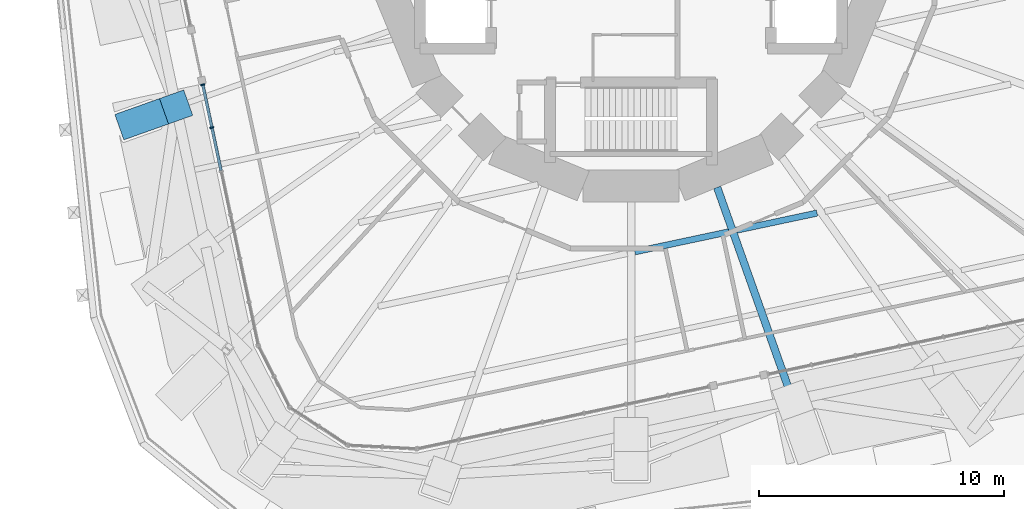
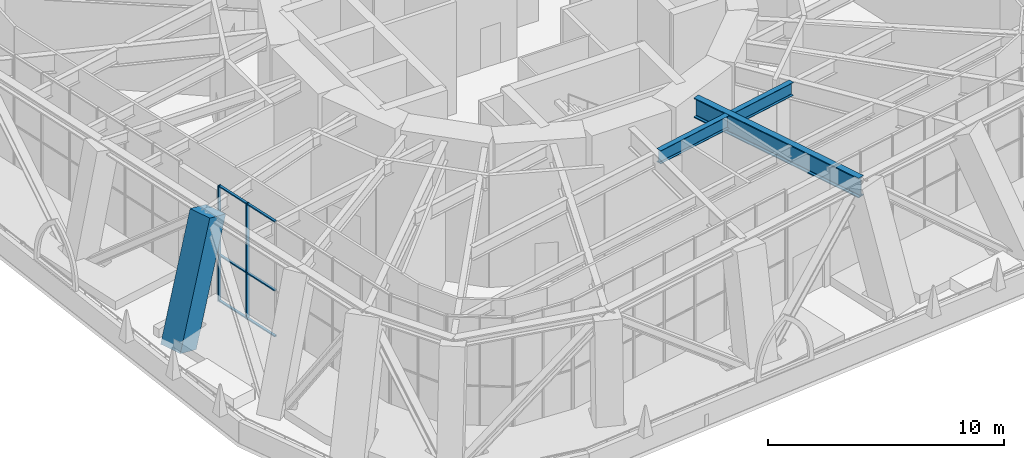
# One storey, part 3 of 23: 9 members, 3 beams, 1 element without a shape of its own.
"""IFC4 building model written with IfcOpenShell, lengths in metres."""

from ifc_helpers import new_model, si_unit, direction, frame, origin, origin_2d, place, context, subcontext, project, spatial, rectangle, i_section, extrude, material, material_profile, profile_set, type_object, element, aggregate, save


model = new_model("IFC4")

# Units and contexts
model_context = context("Model", 3, precision=1e-05, world=origin(), true_north=direction((0.0, 1.0)))
body_context = subcontext(model_context, "Body", "Model", "MODEL_VIEW")
ifc_project = project(units=[si_unit("LENGTHUNIT", "METRE"), si_unit("AREAUNIT", "SQUARE_METRE"), si_unit("VOLUMEUNIT", "CUBIC_METRE"), si_unit("PLANEANGLEUNIT", "RADIAN"), si_unit("MASSUNIT", "GRAM", prefix="KILO")], contexts=[model_context])

# Site, building, storey
site_placement = place(None, origin())
site = spatial("IfcSite", under=ifc_project, at=site_placement, CompositionType="ELEMENT")
building_placement = place(site_placement, origin())
building = spatial("IfcBuilding", under=site, at=building_placement, Name="Nakasero Lantern House", CompositionType="ELEMENT")
storey_placement = place(building_placement, frame((0.0, 0.0, 95.14990234375)))
storey = spatial("IfcBuildingStorey", under=building, at=storey_placement, Name="L23", CompositionType="ELEMENT", Elevation=95.14990234375)

# Beams
ifc_material_1 = material(Name="Steel S355", Category="steel")
ifc_material_profile_1 = material_profile(ifc_material_1, i_section(OverallWidth=0.253662109375, OverallDepth=0.68359375, WebThickness=0.012451171875, FlangeThickness=0.01904296875, FilletRadius=0.01513671875, at=origin_2d()), Name="UB 686x254x140")
ifc_profile_set_1 = profile_set([ifc_material_profile_1], Name="Steel S355")
beam_type_1 = type_object("IfcBeamType", Name="Infill beam UB 686x254x140", PredefinedType="JOIST", material=ifc_profile_set_1)
beam_1_placement = place(storey_placement, frame((0.154296875, -12.490966796875, 5.458251953125), z_axis=(0.978145555103, 0.207921314521, 0.0), x_axis=(-0.207921314521, 0.978145555103, 0.0)))
element("IfcBeam", 1, at=beam_1_placement, inside=storey, type_object=beam_type_1, Name="Infill beam L24 04.3", PredefinedType="JOIST", context=body_context, shape_type="SweptSolid", body=[
    extrude(i_section(OverallWidth=0.253662109375, OverallDepth=0.68359375, WebThickness=0.012451171875, FlangeThickness=0.01904296875, FilletRadius=0.01513671875, at=origin_2d()), origin(), (0.0, 0.0, 1.0), 3.920654296875),
])
beam_2_placement = place(storey_placement, frame((4.290771484375, -11.611572265625, 5.458251953125), z_axis=(0.978156264753, 0.207870925635, 0.0), x_axis=(-0.207870925635, 0.978156264753, 0.0)))
element("IfcBeam", 2, at=beam_2_placement, inside=storey, type_object=beam_type_1, Name="Infill beam L24 04.4", PredefinedType="JOIST", context=body_context, shape_type="SweptSolid", body=[
    extrude(i_section(OverallWidth=0.253662109375, OverallDepth=0.68359375, WebThickness=0.012451171875, FlangeThickness=0.01904296875, FilletRadius=0.01513671875, at=origin_2d()), origin(), (0.0, 0.0, 1.0), 3.359130859375),
])

# Curtain wall, members
ifc_material_2 = material(Name="Aluminium 6063-T6 and glass", Category="aluminium")
curtain_wall_type = type_object("IfcCurtainWallType", Name="Sky lounge glazing CW-3", PredefinedType="USERDEFINED", material=ifc_material_2)
curtain_wall_placement = place(storey_placement, origin())
curtain_wall = element("IfcCurtainWall", 3, at=curtain_wall_placement, inside=storey, type_object=curtain_wall_type, Name="Curtain wall CW-3 L23", ObjectType="STICK CURTAIN WALL", PredefinedType="USERDEFINED")
ifc_material_3 = material(Name="Aluminium 6063-T6", Category="aluminium")
ifc_material_profile_2 = material_profile(ifc_material_3, rectangle(XDim=0.06005859375, YDim=0.159912109375, at=origin_2d()), Name="CW-3 mullion 60x160")
ifc_profile_set_2 = profile_set([ifc_material_profile_2], Name="Aluminium 6063-T6")
member_type_1 = type_object("IfcMemberType", Name="Mullion CW-3", PredefinedType="MULLION", material=ifc_profile_set_2)
member_1_placement = place(storey_placement, frame((-17.449951171875, -5.68212890625, 0.0), z_axis=(0.0, 0.0, 1.0), x_axis=(0.207911690818, -0.978147600734, 0.0)))
member_1 = element("IfcMember", 4, at=member_1_placement, type_object=member_type_1, Name="CW-3 mullion 1", PredefinedType="MULLION", context=body_context, shape_type="SweptSolid", body=[
    extrude(rectangle(XDim=0.06005859375, YDim=0.159912109375, at=origin_2d()), origin(), (0.0, 0.0, 1.0), 6.0),
])
member_2_placement = place(storey_placement, frame((-17.078369140625, -7.429931640625, 0.0), z_axis=(0.0, 0.0, 1.0), x_axis=(0.207911690818, -0.978147600734, 0.0)))
member_2 = element("IfcMember", 5, at=member_2_placement, type_object=member_type_1, Name="CW-3 mullion 2", PredefinedType="MULLION", context=body_context, shape_type="SweptSolid", body=[
    extrude(rectangle(XDim=0.06005859375, YDim=0.159912109375, at=origin_2d()), origin(), (0.0, 0.0, 1.0), 6.0),
])

# Beam
ifc_material_4 = material(Name="Steel S355", Category="steel")
ifc_material_profile_3 = material_profile(ifc_material_4, i_section(OverallWidth=0.305419921875, OverallDepth=1.026123046875, WebThickness=0.02685546875, FlangeThickness=0.049072265625, FilletRadius=0.030029296875, at=origin_2d()), Name="UB 1016x305x437")
ifc_profile_set_3 = profile_set([ifc_material_profile_3], Name="Steel S355")
beam_type_2 = type_object("IfcBeamType", Name="Primary beam UB 1016x305x437, span 9 to 12 m", PredefinedType="BEAM", material=ifc_profile_set_3)
beam_3_placement = place(storey_placement, frame((6.590087890625, -18.534912109375, 5.287109375), z_axis=(-0.335001291255, 0.942217668513, 0.0), x_axis=(-0.942217668513, -0.335001291255, 0.0)))
element("IfcBeam", 6, at=beam_3_placement, inside=storey, type_object=beam_type_2, Name="Primary beam L24 B3-C22T", PredefinedType="BEAM", context=body_context, shape_type="SweptSolid", body=[
    extrude(i_section(OverallWidth=0.305419921875, OverallDepth=1.026123046875, WebThickness=0.02685546875, FlangeThickness=0.049072265625, FilletRadius=0.030029296875, at=origin_2d()), origin(), (0.0, 0.0, 1.0), 9.199951171875),
])

# Member
ifc_material_5 = material(Name="Concrete C50/60", Category="concrete")
ifc_material_profile_4 = material_profile(ifc_material_5, rectangle(XDim=1.10009765625, YDim=1.10009765625, at=origin_2d()), Name="RC 1100x1100")
ifc_profile_set_4 = profile_set([ifc_material_profile_4], Name="Concrete C50/60")
member_type_2 = type_object("IfcMemberType", Name="Raking column RC 1100x1100 C50/60", PredefinedType="STRUT", material=ifc_profile_set_4)
member_3_placement = place(storey_placement, frame((-20.35498046875, -7.2373046875, -0.427734375), z_axis=(0.288748681055, 0.102679108448, 0.951882975936), x_axis=(-0.335047067647, 0.942201391668, 0.0)))
element("IfcMember", 7, at=member_3_placement, inside=storey, type_object=member_type_2, Name="Raking column B3-C16T L23", PredefinedType="STRUT", context=body_context, shape_type="SweptSolid", body=[
    extrude(rectangle(XDim=1.10009765625, YDim=1.10009765625, at=origin_2d()), origin(), (0.0, 0.0, 1.0), 6.30322265625),
])

ifc_material_6 = material(Name="Aluminium 6063-T6", Category="aluminium")
ifc_material_profile_5 = material_profile(ifc_material_6, rectangle(XDim=0.06005859375, YDim=0.1201171875, at=origin_2d()), Name="CW-3 transom 60x120")
ifc_profile_set_5 = profile_set([ifc_material_profile_5], Name="Aluminium 6063-T6")
member_type_3 = type_object("IfcMemberType", Name="Transom CW-3", PredefinedType="USERDEFINED", material=ifc_profile_set_5)
member_4_placement = place(storey_placement, frame((-17.443603515625, -5.711669921875, 0.030029296875), z_axis=(0.207877359997, -0.978154897345, 0.0), x_axis=(0.0, 0.0, 1.0)))
member_4 = element("IfcMember", 8, at=member_4_placement, type_object=member_type_3, Name="CW-3 transom 1.1", ObjectType="TRANSOM", PredefinedType="USERDEFINED", context=body_context, shape_type="SweptSolid", body=[
    extrude(rectangle(XDim=0.06005859375, YDim=0.1201171875, at=origin_2d()), origin(), (0.0, 0.0, 1.0), 1.726318359375),
])

member_5_placement = place(storey_placement, frame((-17.443603515625, -5.711669921875, 2.400146484375), z_axis=(0.207877359997, -0.978154897345, 0.0), x_axis=(0.0, 0.0, 1.0)))
member_5 = element("IfcMember", 9, at=member_5_placement, type_object=member_type_3, Name="CW-3 transom 1.2", ObjectType="TRANSOM", PredefinedType="USERDEFINED", context=body_context, shape_type="SweptSolid", body=[
    extrude(rectangle(XDim=0.06005859375, YDim=0.1201171875, at=origin_2d()), origin(), (0.0, 0.0, 1.0), 1.726318359375),
])

member_6_placement = place(storey_placement, frame((-17.443603515625, -5.711669921875, 5.97021484375), z_axis=(0.207877359997, -0.978154897345, 0.0), x_axis=(0.0, 0.0, 1.0)))
member_6 = element("IfcMember", 10, at=member_6_placement, type_object=member_type_3, Name="CW-3 transom 1.3", ObjectType="TRANSOM", PredefinedType="USERDEFINED", context=body_context, shape_type="SweptSolid", body=[
    extrude(rectangle(XDim=0.06005859375, YDim=0.1201171875, at=origin_2d()), origin(), (0.0, 0.0, 1.0), 1.726318359375),
])

member_7_placement = place(storey_placement, frame((-17.072265625, -7.459228515625, 0.030029296875), z_axis=(0.207915270313, -0.978146839882, 0.0), x_axis=(0.0, 0.0, 1.0)))
member_7 = element("IfcMember", 11, at=member_7_placement, type_object=member_type_3, Name="CW-3 transom 2.1", ObjectType="TRANSOM", PredefinedType="USERDEFINED", context=body_context, shape_type="SweptSolid", body=[
    extrude(rectangle(XDim=0.06005859375, YDim=0.1201171875, at=origin_2d()), origin(), (0.0, 0.0, 1.0), 1.756591796875),
])

member_8_placement = place(storey_placement, frame((-17.072265625, -7.459228515625, 2.400146484375), z_axis=(0.207915270313, -0.978146839882, 0.0), x_axis=(0.0, 0.0, 1.0)))
member_8 = element("IfcMember", 12, at=member_8_placement, type_object=member_type_3, Name="CW-3 transom 2.2", ObjectType="TRANSOM", PredefinedType="USERDEFINED", context=body_context, shape_type="SweptSolid", body=[
    extrude(rectangle(XDim=0.06005859375, YDim=0.1201171875, at=origin_2d()), origin(), (0.0, 0.0, 1.0), 1.756591796875),
])

member_9_placement = place(storey_placement, frame((-17.072265625, -7.459228515625, 5.97021484375), z_axis=(0.207915270313, -0.978146839882, 0.0), x_axis=(0.0, 0.0, 1.0)))
member_9 = element("IfcMember", 13, at=member_9_placement, type_object=member_type_3, Name="CW-3 transom 2.3", ObjectType="TRANSOM", PredefinedType="USERDEFINED", context=body_context, shape_type="SweptSolid", body=[
    extrude(rectangle(XDim=0.06005859375, YDim=0.1201171875, at=origin_2d()), origin(), (0.0, 0.0, 1.0), 1.756591796875),
])

aggregate(curtain_wall, [member_1, member_2, member_4, member_5, member_6, member_7, member_8, member_9])

save(model, "model.ifc")
